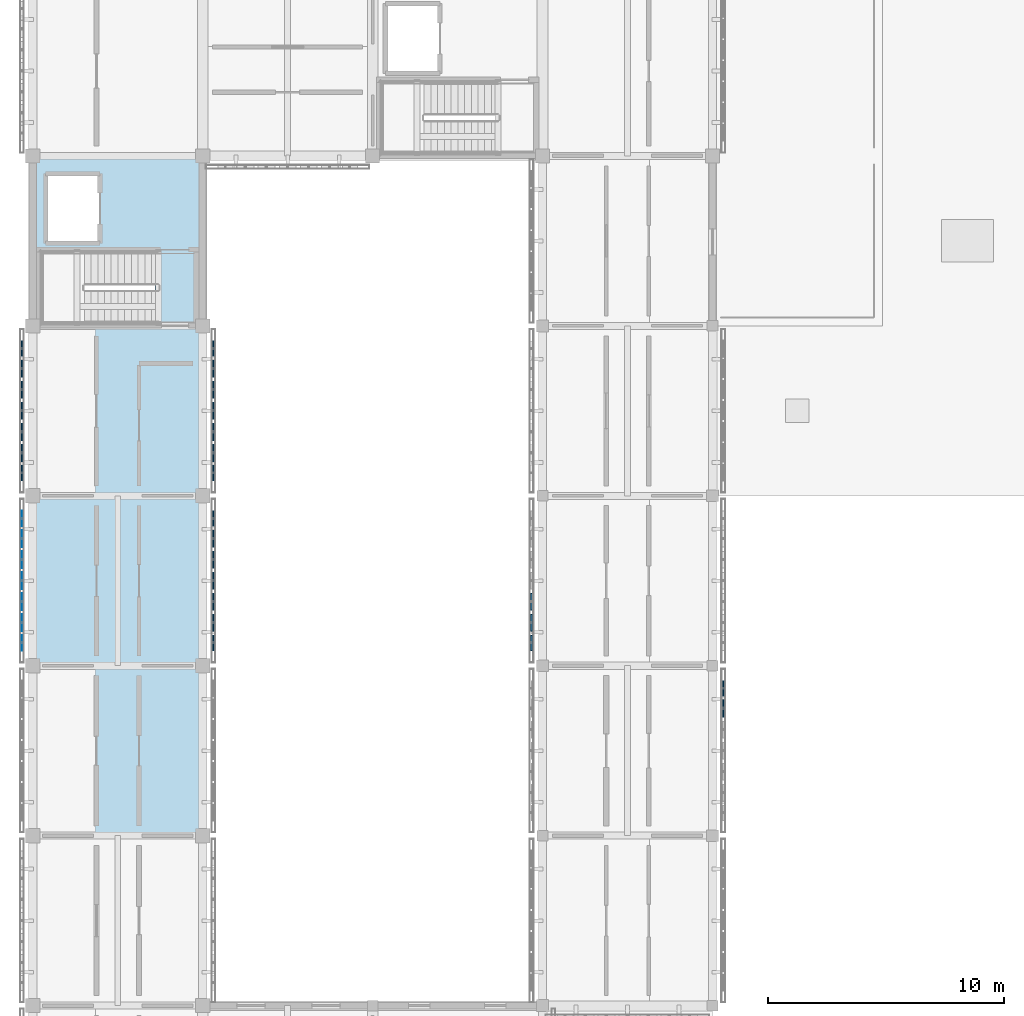
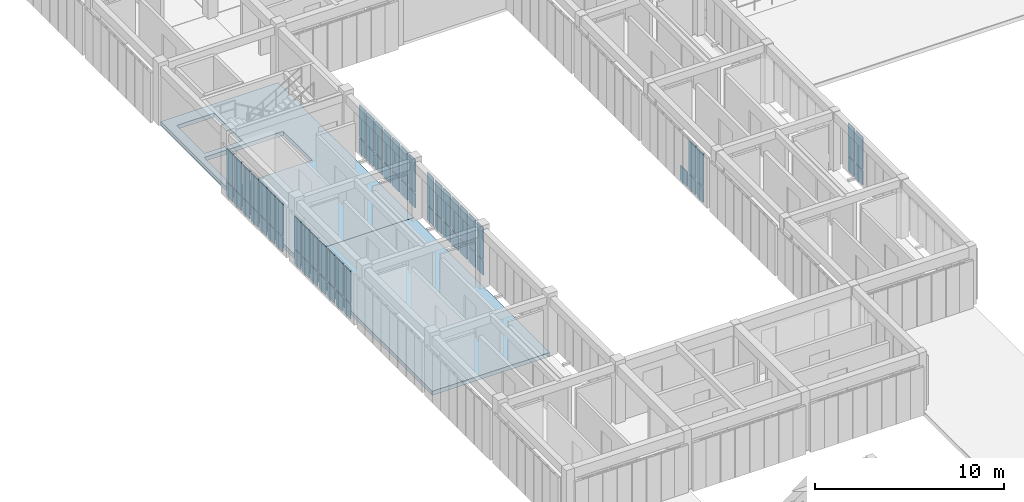
# One storey, part 40 of 67: 65 plates, 2 slabs, 6 elements without a shape of their own.
"""IFC4 building model written with IfcOpenShell, lengths in metres."""

from ifc_helpers import new_model, si_unit, direction, frame, origin, origin_2d, place, context, subcontext, project, spatial, polyline, rectangle, outline, extrude, material, layer, layer_set, type_object, element, aggregate, save


model = new_model("IFC4")

# Units and contexts
model_context = context("Model", 3, precision=1e-05, world=origin(), true_north=direction((0.0, 1.0)))
body_context = subcontext(model_context, "Body", "Model", "MODEL_VIEW")
ifc_project = project(units=[si_unit("LENGTHUNIT", "METRE"), si_unit("AREAUNIT", "SQUARE_METRE"), si_unit("VOLUMEUNIT", "CUBIC_METRE"), si_unit("PLANEANGLEUNIT", "RADIAN"), si_unit("MASSUNIT", "GRAM", prefix="KILO")], contexts=[model_context])

# Site, building, storey
site_placement = place(None, origin())
site = spatial("IfcSite", under=ifc_project, at=site_placement, CompositionType="ELEMENT")
building_placement = place(site_placement, origin())
building = spatial("IfcBuilding", under=site, at=building_placement, Name="Aldebral Square Health Centre", CompositionType="ELEMENT")
storey_placement = place(building_placement, frame((0.0, 0.0, 13.5)))
storey = spatial("IfcBuildingStorey", under=building, at=storey_placement, Name="L03", CompositionType="ELEMENT", Elevation=13.5)

# Curtain wall, plates
ifc_material_1 = material(Name="Aluminium and low-E solar glass", Category="aluminium")
curtain_wall_type = type_object("IfcCurtainWallType", Name="CW-FIN-SYS", PredefinedType="USERDEFINED", material=ifc_material_1)
curtain_wall_1_placement = place(storey_placement, origin())
curtain_wall_1 = element("IfcCurtainWall", 1, at=curtain_wall_1_placement, inside=storey, type_object=curtain_wall_type, Name="L03 V4 finned curtain wall L03-V4-00-11-W", ObjectType="SOLAR_CURTAIN_WALL", PredefinedType="USERDEFINED")
ifc_material_2 = material(Name="Solar-control low-E double glass", Category="glass")
ifc_layer_1 = layer(ifc_material_2, 0.0400390625, Name="Solar-control low-E double glass", Category="glass")
ifc_layer_set_1 = layer_set([ifc_layer_1], Name="Solar-control low-E double glass")
plate_type_1 = type_object("IfcPlateType", Name="CWP-GLZ-3", PredefinedType="CURTAIN_PANEL", material=ifc_layer_set_1)
plate_1_placement = place(storey_placement, frame((-0.4599609375, 85.434326171875, 0.074951171875), z_axis=(0.0, 0.0, 1.0), x_axis=(0.0, -1.0, 0.0)))
plate_1 = element("IfcPlate", 2, at=plate_1_placement, type_object=plate_type_1, Name="CW1 panel 1.1", PredefinedType="CURTAIN_PANEL", context=body_context, shape_type="SweptSolid", body=[
    extrude(rectangle(XDim=0.6513671875, YDim=0.0400390625, at=origin_2d()), origin(), (0.0, 0.0, 1.0), 0.9375),
])
plate_2_placement = place(storey_placement, frame((-0.4599609375, 85.434326171875, 1.08740234375), z_axis=(0.0, 0.0, 1.0), x_axis=(0.0, -1.0, 0.0)))
plate_2 = element("IfcPlate", 3, at=plate_2_placement, type_object=plate_type_1, Name="CW1 panel 1.2", PredefinedType="CURTAIN_PANEL", context=body_context, shape_type="SweptSolid", body=[
    extrude(rectangle(XDim=0.6513671875, YDim=0.0400390625, at=origin_2d()), origin(), (0.0, 0.0, 1.0), 2.077392578125),
])
plate_3_placement = place(storey_placement, frame((-0.4599609375, 84.582763671875, 0.074951171875), z_axis=(0.0, 0.0, 1.0), x_axis=(0.0, -1.0, 0.0)))
plate_3 = element("IfcPlate", 4, at=plate_3_placement, type_object=plate_type_1, Name="CW1 panel 2.1", PredefinedType="CURTAIN_PANEL", context=body_context, shape_type="SweptSolid", body=[
    extrude(rectangle(XDim=0.7314453125, YDim=0.0400390625, at=origin_2d()), origin(), (0.0, 0.0, 1.0), 0.9375),
])
plate_4_placement = place(storey_placement, frame((-0.4599609375, 84.582763671875, 1.08740234375), z_axis=(0.0, 0.0, 1.0), x_axis=(0.0, -1.0, 0.0)))
plate_4 = element("IfcPlate", 5, at=plate_4_placement, type_object=plate_type_1, Name="CW1 panel 2.2", PredefinedType="CURTAIN_PANEL", context=body_context, shape_type="SweptSolid", body=[
    extrude(rectangle(XDim=0.7314453125, YDim=0.0400390625, at=origin_2d()), origin(), (0.0, 0.0, 1.0), 2.077392578125),
])
plate_5_placement = place(storey_placement, frame((-0.4599609375, 83.69140625, 0.074951171875), z_axis=(0.0, 0.0, 1.0), x_axis=(0.0, -1.0, 0.0)))
plate_5 = element("IfcPlate", 6, at=plate_5_placement, type_object=plate_type_1, Name="CW1 panel 3.1", PredefinedType="CURTAIN_PANEL", context=body_context, shape_type="SweptSolid", body=[
    extrude(rectangle(XDim=0.7314453125, YDim=0.0400390625, at=origin_2d()), origin(), (0.0, 0.0, 1.0), 0.9375),
])
plate_6_placement = place(storey_placement, frame((-0.4599609375, 83.69140625, 1.08740234375), z_axis=(0.0, 0.0, 1.0), x_axis=(0.0, -1.0, 0.0)))
plate_6 = element("IfcPlate", 7, at=plate_6_placement, type_object=plate_type_1, Name="CW1 panel 3.2", PredefinedType="CURTAIN_PANEL", context=body_context, shape_type="SweptSolid", body=[
    extrude(rectangle(XDim=0.7314453125, YDim=0.0400390625, at=origin_2d()), origin(), (0.0, 0.0, 1.0), 2.077392578125),
])
plate_7_placement = place(storey_placement, frame((-0.4599609375, 82.800048828125, 0.074951171875), z_axis=(0.0, 0.0, 1.0), x_axis=(0.0, -1.0, 0.0)))
plate_7 = element("IfcPlate", 8, at=plate_7_placement, type_object=plate_type_1, Name="CW1 panel 4.1", PredefinedType="CURTAIN_PANEL", context=body_context, shape_type="SweptSolid", body=[
    extrude(rectangle(XDim=0.7314453125, YDim=0.0400390625, at=origin_2d()), origin(), (0.0, 0.0, 1.0), 0.9375),
])
plate_8_placement = place(storey_placement, frame((-0.4599609375, 82.800048828125, 1.08740234375), z_axis=(0.0, 0.0, 1.0), x_axis=(0.0, -1.0, 0.0)))
plate_8 = element("IfcPlate", 9, at=plate_8_placement, type_object=plate_type_1, Name="CW1 panel 4.2", PredefinedType="CURTAIN_PANEL", context=body_context, shape_type="SweptSolid", body=[
    extrude(rectangle(XDim=0.7314453125, YDim=0.0400390625, at=origin_2d()), origin(), (0.0, 0.0, 1.0), 2.077392578125),
])
plate_9_placement = place(storey_placement, frame((-0.4599609375, 81.90869140625, 0.074951171875), z_axis=(0.0, 0.0, 1.0), x_axis=(0.0, -1.0, 0.0)))
plate_9 = element("IfcPlate", 10, at=plate_9_placement, type_object=plate_type_1, Name="CW1 panel 5.1", PredefinedType="CURTAIN_PANEL", context=body_context, shape_type="SweptSolid", body=[
    extrude(rectangle(XDim=0.7314453125, YDim=0.0400390625, at=origin_2d()), origin(), (0.0, 0.0, 1.0), 0.9375),
])
plate_10_placement = place(storey_placement, frame((-0.4599609375, 81.90869140625, 1.08740234375), z_axis=(0.0, 0.0, 1.0), x_axis=(0.0, -1.0, 0.0)))
plate_10 = element("IfcPlate", 11, at=plate_10_placement, type_object=plate_type_1, Name="CW1 panel 5.2", PredefinedType="CURTAIN_PANEL", context=body_context, shape_type="SweptSolid", body=[
    extrude(rectangle(XDim=0.7314453125, YDim=0.0400390625, at=origin_2d()), origin(), (0.0, 0.0, 1.0), 2.077392578125),
])
plate_11_placement = place(storey_placement, frame((-0.4599609375, 81.01708984375, 0.074951171875), z_axis=(0.0, 0.0, 1.0), x_axis=(0.0, -1.0, 0.0)))
plate_11 = element("IfcPlate", 12, at=plate_11_placement, type_object=plate_type_1, Name="CW1 panel 6.1", PredefinedType="CURTAIN_PANEL", context=body_context, shape_type="SweptSolid", body=[
    extrude(rectangle(XDim=0.7314453125, YDim=0.0400390625, at=origin_2d()), origin(), (0.0, 0.0, 1.0), 0.9375),
])
plate_12_placement = place(storey_placement, frame((-0.4599609375, 81.01708984375, 1.08740234375), z_axis=(0.0, 0.0, 1.0), x_axis=(0.0, -1.0, 0.0)))
plate_12 = element("IfcPlate", 13, at=plate_12_placement, type_object=plate_type_1, Name="CW1 panel 6.2", PredefinedType="CURTAIN_PANEL", context=body_context, shape_type="SweptSolid", body=[
    extrude(rectangle(XDim=0.7314453125, YDim=0.0400390625, at=origin_2d()), origin(), (0.0, 0.0, 1.0), 2.077392578125),
])
plate_13_placement = place(storey_placement, frame((-0.4599609375, 80.165771484375, 0.074951171875), z_axis=(0.0, 0.0, 1.0), x_axis=(0.0, -1.0, 0.0)))
plate_13 = element("IfcPlate", 14, at=plate_13_placement, type_object=plate_type_1, Name="CW1 panel 7.1", PredefinedType="CURTAIN_PANEL", context=body_context, shape_type="SweptSolid", body=[
    extrude(rectangle(XDim=0.6513671875, YDim=0.0400390625, at=origin_2d()), origin(), (0.0, 0.0, 1.0), 0.9375),
])
plate_14_placement = place(storey_placement, frame((-0.4599609375, 80.165771484375, 1.08740234375), z_axis=(0.0, 0.0, 1.0), x_axis=(0.0, -1.0, 0.0)))
plate_14 = element("IfcPlate", 15, at=plate_14_placement, type_object=plate_type_1, Name="CW1 panel 7.2", PredefinedType="CURTAIN_PANEL", context=body_context, shape_type="SweptSolid", body=[
    extrude(rectangle(XDim=0.6513671875, YDim=0.0400390625, at=origin_2d()), origin(), (0.0, 0.0, 1.0), 2.077392578125),
])
aggregate(curtain_wall_1, [plate_1, plate_2, plate_3, plate_4, plate_5, plate_6, plate_7, plate_8, plate_9, plate_10, plate_11, plate_12, plate_13, plate_14])

curtain_wall_2_placement = place(storey_placement, origin())
curtain_wall_2 = element("IfcCurtainWall", 16, at=curtain_wall_2_placement, inside=storey, type_object=curtain_wall_type, Name="L03 V4 finned curtain wall L03-V4-00-11-E", ObjectType="SOLAR_CURTAIN_WALL", PredefinedType="USERDEFINED")
ifc_layer_2 = layer(ifc_material_2, 0.050048828125, Name="Solar-control low-E double glass", Category="glass")
ifc_layer_set_2 = layer_set([ifc_layer_2], Name="Solar-control low-E double glass")
plate_type_2 = type_object("IfcPlateType", Name="CWP-GLZ-4", PredefinedType="CURTAIN_PANEL", material=ifc_layer_set_2)
plate_15_placement = place(storey_placement, frame((7.659912109375, 80.165771484375, 0.074951171875), z_axis=(0.0, 0.0, 1.0), x_axis=(0.0, 1.0, 0.0)))
plate_15 = element("IfcPlate", 17, at=plate_15_placement, type_object=plate_type_2, Name="CW1 panel 1.1", PredefinedType="CURTAIN_PANEL", context=body_context, shape_type="SweptSolid", body=[
    extrude(rectangle(XDim=0.6513671875, YDim=0.050048828125, at=origin_2d()), origin(), (0.0, 0.0, 1.0), 0.9375),
])
plate_16_placement = place(storey_placement, frame((7.659912109375, 80.165771484375, 1.08740234375), z_axis=(0.0, 0.0, 1.0), x_axis=(0.0, 1.0, 0.0)))
plate_16 = element("IfcPlate", 18, at=plate_16_placement, type_object=plate_type_2, Name="CW1 panel 1.2", PredefinedType="CURTAIN_PANEL", context=body_context, shape_type="SweptSolid", body=[
    extrude(rectangle(XDim=0.6513671875, YDim=0.050048828125, at=origin_2d()), origin(), (0.0, 0.0, 1.0), 2.077392578125),
])
plate_17_placement = place(storey_placement, frame((7.659912109375, 81.01708984375, 0.074951171875), z_axis=(0.0, 0.0, 1.0), x_axis=(0.0, 1.0, 0.0)))
plate_17 = element("IfcPlate", 19, at=plate_17_placement, type_object=plate_type_2, Name="CW1 panel 2.1", PredefinedType="CURTAIN_PANEL", context=body_context, shape_type="SweptSolid", body=[
    extrude(rectangle(XDim=0.7314453125, YDim=0.050048828125, at=origin_2d()), origin(), (0.0, 0.0, 1.0), 0.9375),
])
plate_18_placement = place(storey_placement, frame((7.659912109375, 81.01708984375, 1.08740234375), z_axis=(0.0, 0.0, 1.0), x_axis=(0.0, 1.0, 0.0)))
plate_18 = element("IfcPlate", 20, at=plate_18_placement, type_object=plate_type_2, Name="CW1 panel 2.2", PredefinedType="CURTAIN_PANEL", context=body_context, shape_type="SweptSolid", body=[
    extrude(rectangle(XDim=0.7314453125, YDim=0.050048828125, at=origin_2d()), origin(), (0.0, 0.0, 1.0), 2.077392578125),
])
plate_19_placement = place(storey_placement, frame((7.659912109375, 81.90869140625, 0.074951171875), z_axis=(0.0, 0.0, 1.0), x_axis=(0.0, 1.0, 0.0)))
plate_19 = element("IfcPlate", 21, at=plate_19_placement, type_object=plate_type_2, Name="CW1 panel 3.1", PredefinedType="CURTAIN_PANEL", context=body_context, shape_type="SweptSolid", body=[
    extrude(rectangle(XDim=0.7314453125, YDim=0.050048828125, at=origin_2d()), origin(), (0.0, 0.0, 1.0), 0.9375),
])
plate_20_placement = place(storey_placement, frame((7.659912109375, 81.90869140625, 1.08740234375), z_axis=(0.0, 0.0, 1.0), x_axis=(0.0, 1.0, 0.0)))
plate_20 = element("IfcPlate", 22, at=plate_20_placement, type_object=plate_type_2, Name="CW1 panel 3.2", PredefinedType="CURTAIN_PANEL", context=body_context, shape_type="SweptSolid", body=[
    extrude(rectangle(XDim=0.7314453125, YDim=0.050048828125, at=origin_2d()), origin(), (0.0, 0.0, 1.0), 2.077392578125),
])
plate_21_placement = place(storey_placement, frame((7.659912109375, 82.800048828125, 0.074951171875), z_axis=(0.0, 0.0, 1.0), x_axis=(0.0, 1.0, 0.0)))
plate_21 = element("IfcPlate", 23, at=plate_21_placement, type_object=plate_type_2, Name="CW1 panel 4.1", PredefinedType="CURTAIN_PANEL", context=body_context, shape_type="SweptSolid", body=[
    extrude(rectangle(XDim=0.7314453125, YDim=0.050048828125, at=origin_2d()), origin(), (0.0, 0.0, 1.0), 0.9375),
])
plate_22_placement = place(storey_placement, frame((7.659912109375, 82.800048828125, 1.08740234375), z_axis=(0.0, 0.0, 1.0), x_axis=(0.0, 1.0, 0.0)))
plate_22 = element("IfcPlate", 24, at=plate_22_placement, type_object=plate_type_2, Name="CW1 panel 4.2", PredefinedType="CURTAIN_PANEL", context=body_context, shape_type="SweptSolid", body=[
    extrude(rectangle(XDim=0.7314453125, YDim=0.050048828125, at=origin_2d()), origin(), (0.0, 0.0, 1.0), 2.077392578125),
])
plate_23_placement = place(storey_placement, frame((7.659912109375, 83.69140625, 0.074951171875), z_axis=(0.0, 0.0, 1.0), x_axis=(0.0, 1.0, 0.0)))
plate_23 = element("IfcPlate", 25, at=plate_23_placement, type_object=plate_type_2, Name="CW1 panel 5.1", PredefinedType="CURTAIN_PANEL", context=body_context, shape_type="SweptSolid", body=[
    extrude(rectangle(XDim=0.7314453125, YDim=0.050048828125, at=origin_2d()), origin(), (0.0, 0.0, 1.0), 0.9375),
])
plate_24_placement = place(storey_placement, frame((7.659912109375, 83.69140625, 1.08740234375), z_axis=(0.0, 0.0, 1.0), x_axis=(0.0, 1.0, 0.0)))
plate_24 = element("IfcPlate", 26, at=plate_24_placement, type_object=plate_type_2, Name="CW1 panel 5.2", PredefinedType="CURTAIN_PANEL", context=body_context, shape_type="SweptSolid", body=[
    extrude(rectangle(XDim=0.7314453125, YDim=0.050048828125, at=origin_2d()), origin(), (0.0, 0.0, 1.0), 2.077392578125),
])
plate_25_placement = place(storey_placement, frame((7.659912109375, 84.582763671875, 0.074951171875), z_axis=(0.0, 0.0, 1.0), x_axis=(0.0, 1.0, 0.0)))
plate_25 = element("IfcPlate", 27, at=plate_25_placement, type_object=plate_type_2, Name="CW1 panel 6.1", PredefinedType="CURTAIN_PANEL", context=body_context, shape_type="SweptSolid", body=[
    extrude(rectangle(XDim=0.7314453125, YDim=0.050048828125, at=origin_2d()), origin(), (0.0, 0.0, 1.0), 0.9375),
])
plate_26_placement = place(storey_placement, frame((7.659912109375, 84.582763671875, 1.08740234375), z_axis=(0.0, 0.0, 1.0), x_axis=(0.0, 1.0, 0.0)))
plate_26 = element("IfcPlate", 28, at=plate_26_placement, type_object=plate_type_2, Name="CW1 panel 6.2", PredefinedType="CURTAIN_PANEL", context=body_context, shape_type="SweptSolid", body=[
    extrude(rectangle(XDim=0.7314453125, YDim=0.050048828125, at=origin_2d()), origin(), (0.0, 0.0, 1.0), 2.077392578125),
])
plate_27_placement = place(storey_placement, frame((7.659912109375, 85.434326171875, 0.074951171875), z_axis=(0.0, 0.0, 1.0), x_axis=(0.0, 1.0, 0.0)))
plate_27 = element("IfcPlate", 29, at=plate_27_placement, type_object=plate_type_2, Name="CW1 panel 7.1", PredefinedType="CURTAIN_PANEL", context=body_context, shape_type="SweptSolid", body=[
    extrude(rectangle(XDim=0.6513671875, YDim=0.050048828125, at=origin_2d()), origin(), (0.0, 0.0, 1.0), 0.9375),
])
plate_28_placement = place(storey_placement, frame((7.659912109375, 85.434326171875, 1.08740234375), z_axis=(0.0, 0.0, 1.0), x_axis=(0.0, 1.0, 0.0)))
plate_28 = element("IfcPlate", 30, at=plate_28_placement, type_object=plate_type_2, Name="CW1 panel 7.2", PredefinedType="CURTAIN_PANEL", context=body_context, shape_type="SweptSolid", body=[
    extrude(rectangle(XDim=0.6513671875, YDim=0.050048828125, at=origin_2d()), origin(), (0.0, 0.0, 1.0), 2.077392578125),
])
aggregate(curtain_wall_2, [plate_15, plate_16, plate_17, plate_18, plate_19, plate_20, plate_21, plate_22, plate_23, plate_24, plate_25, plate_26, plate_27, plate_28])

curtain_wall_3_placement = place(storey_placement, origin())
curtain_wall_3 = element("IfcCurtainWall", 31, at=curtain_wall_3_placement, inside=storey, type_object=curtain_wall_type, Name="L03 V4 finned curtain wall L03-V4-00-12-W", ObjectType="SOLAR_CURTAIN_WALL", PredefinedType="USERDEFINED")
ifc_layer_3 = layer(ifc_material_2, 0.06005859375, Name="Solar-control low-E double glass", Category="glass")
ifc_layer_set_3 = layer_set([ifc_layer_3], Name="Solar-control low-E double glass")
plate_type_3 = type_object("IfcPlateType", Name="CWP-GLZ-5", PredefinedType="CURTAIN_PANEL", material=ifc_layer_set_3)
plate_29_placement = place(storey_placement, frame((-0.4599609375, 92.63427734375, 0.074951171875), z_axis=(0.0, 0.0, 1.0), x_axis=(0.0, -1.0, 0.0)))
plate_29 = element("IfcPlate", 32, at=plate_29_placement, type_object=plate_type_3, Name="CW1 panel 1.1", PredefinedType="CURTAIN_PANEL", context=body_context, shape_type="SweptSolid", body=[
    extrude(rectangle(XDim=0.6513671875, YDim=0.06005859375, at=origin_2d()), origin(), (0.0, 0.0, 1.0), 0.9375),
])
plate_30_placement = place(storey_placement, frame((-0.4599609375, 92.63427734375, 1.08740234375), z_axis=(0.0, 0.0, 1.0), x_axis=(0.0, -1.0, 0.0)))
plate_30 = element("IfcPlate", 33, at=plate_30_placement, type_object=plate_type_3, Name="CW1 panel 1.2", PredefinedType="CURTAIN_PANEL", context=body_context, shape_type="SweptSolid", body=[
    extrude(rectangle(XDim=0.6513671875, YDim=0.06005859375, at=origin_2d()), origin(), (0.0, 0.0, 1.0), 2.077392578125),
])
plate_31_placement = place(storey_placement, frame((-0.4599609375, 91.782958984375, 0.074951171875), z_axis=(0.0, 0.0, 1.0), x_axis=(0.0, -1.0, 0.0)))
plate_31 = element("IfcPlate", 34, at=plate_31_placement, type_object=plate_type_3, Name="CW1 panel 2.1", PredefinedType="CURTAIN_PANEL", context=body_context, shape_type="SweptSolid", body=[
    extrude(rectangle(XDim=0.7314453125, YDim=0.06005859375, at=origin_2d()), origin(), (0.0, 0.0, 1.0), 0.9375),
])
plate_32_placement = place(storey_placement, frame((-0.4599609375, 91.782958984375, 1.08740234375), z_axis=(0.0, 0.0, 1.0), x_axis=(0.0, -1.0, 0.0)))
plate_32 = element("IfcPlate", 35, at=plate_32_placement, type_object=plate_type_3, Name="CW1 panel 2.2", PredefinedType="CURTAIN_PANEL", context=body_context, shape_type="SweptSolid", body=[
    extrude(rectangle(XDim=0.7314453125, YDim=0.06005859375, at=origin_2d()), origin(), (0.0, 0.0, 1.0), 2.077392578125),
])
plate_33_placement = place(storey_placement, frame((-0.4599609375, 90.891357421875, 0.074951171875), z_axis=(0.0, 0.0, 1.0), x_axis=(0.0, -1.0, 0.0)))
plate_33 = element("IfcPlate", 36, at=plate_33_placement, type_object=plate_type_3, Name="CW1 panel 3.1", PredefinedType="CURTAIN_PANEL", context=body_context, shape_type="SweptSolid", body=[
    extrude(rectangle(XDim=0.7314453125, YDim=0.06005859375, at=origin_2d()), origin(), (0.0, 0.0, 1.0), 0.9375),
])
plate_34_placement = place(storey_placement, frame((-0.4599609375, 90.891357421875, 1.08740234375), z_axis=(0.0, 0.0, 1.0), x_axis=(0.0, -1.0, 0.0)))
plate_34 = element("IfcPlate", 37, at=plate_34_placement, type_object=plate_type_3, Name="CW1 panel 3.2", PredefinedType="CURTAIN_PANEL", context=body_context, shape_type="SweptSolid", body=[
    extrude(rectangle(XDim=0.7314453125, YDim=0.06005859375, at=origin_2d()), origin(), (0.0, 0.0, 1.0), 2.077392578125),
])
plate_35_placement = place(storey_placement, frame((-0.4599609375, 90.0, 0.074951171875), z_axis=(0.0, 0.0, 1.0), x_axis=(0.0, -1.0, 0.0)))
plate_35 = element("IfcPlate", 38, at=plate_35_placement, type_object=plate_type_3, Name="CW1 panel 4.1", PredefinedType="CURTAIN_PANEL", context=body_context, shape_type="SweptSolid", body=[
    extrude(rectangle(XDim=0.7314453125, YDim=0.06005859375, at=origin_2d()), origin(), (0.0, 0.0, 1.0), 0.9375),
])
plate_36_placement = place(storey_placement, frame((-0.4599609375, 90.0, 1.08740234375), z_axis=(0.0, 0.0, 1.0), x_axis=(0.0, -1.0, 0.0)))
plate_36 = element("IfcPlate", 39, at=plate_36_placement, type_object=plate_type_3, Name="CW1 panel 4.2", PredefinedType="CURTAIN_PANEL", context=body_context, shape_type="SweptSolid", body=[
    extrude(rectangle(XDim=0.7314453125, YDim=0.06005859375, at=origin_2d()), origin(), (0.0, 0.0, 1.0), 2.077392578125),
])
plate_37_placement = place(storey_placement, frame((-0.4599609375, 89.108642578125, 0.074951171875), z_axis=(0.0, 0.0, 1.0), x_axis=(0.0, -1.0, 0.0)))
plate_37 = element("IfcPlate", 40, at=plate_37_placement, type_object=plate_type_3, Name="CW1 panel 5.1", PredefinedType="CURTAIN_PANEL", context=body_context, shape_type="SweptSolid", body=[
    extrude(rectangle(XDim=0.7314453125, YDim=0.06005859375, at=origin_2d()), origin(), (0.0, 0.0, 1.0), 0.9375),
])
plate_38_placement = place(storey_placement, frame((-0.4599609375, 89.108642578125, 1.08740234375), z_axis=(0.0, 0.0, 1.0), x_axis=(0.0, -1.0, 0.0)))
plate_38 = element("IfcPlate", 41, at=plate_38_placement, type_object=plate_type_3, Name="CW1 panel 5.2", PredefinedType="CURTAIN_PANEL", context=body_context, shape_type="SweptSolid", body=[
    extrude(rectangle(XDim=0.7314453125, YDim=0.06005859375, at=origin_2d()), origin(), (0.0, 0.0, 1.0), 2.077392578125),
])
plate_39_placement = place(storey_placement, frame((-0.4599609375, 88.217041015625, 0.074951171875), z_axis=(0.0, 0.0, 1.0), x_axis=(0.0, -1.0, 0.0)))
plate_39 = element("IfcPlate", 42, at=plate_39_placement, type_object=plate_type_3, Name="CW1 panel 6.1", PredefinedType="CURTAIN_PANEL", context=body_context, shape_type="SweptSolid", body=[
    extrude(rectangle(XDim=0.7314453125, YDim=0.06005859375, at=origin_2d()), origin(), (0.0, 0.0, 1.0), 0.9375),
])
plate_40_placement = place(storey_placement, frame((-0.4599609375, 88.217041015625, 1.08740234375), z_axis=(0.0, 0.0, 1.0), x_axis=(0.0, -1.0, 0.0)))
plate_40 = element("IfcPlate", 43, at=plate_40_placement, type_object=plate_type_3, Name="CW1 panel 6.2", PredefinedType="CURTAIN_PANEL", context=body_context, shape_type="SweptSolid", body=[
    extrude(rectangle(XDim=0.7314453125, YDim=0.06005859375, at=origin_2d()), origin(), (0.0, 0.0, 1.0), 2.077392578125),
])
plate_41_placement = place(storey_placement, frame((-0.4599609375, 87.36572265625, 0.074951171875), z_axis=(0.0, 0.0, 1.0), x_axis=(0.0, -1.0, 0.0)))
plate_41 = element("IfcPlate", 44, at=plate_41_placement, type_object=plate_type_3, Name="CW1 panel 7.1", PredefinedType="CURTAIN_PANEL", context=body_context, shape_type="SweptSolid", body=[
    extrude(rectangle(XDim=0.6513671875, YDim=0.06005859375, at=origin_2d()), origin(), (0.0, 0.0, 1.0), 0.9375),
])
plate_42_placement = place(storey_placement, frame((-0.4599609375, 87.36572265625, 1.08740234375), z_axis=(0.0, 0.0, 1.0), x_axis=(0.0, -1.0, 0.0)))
plate_42 = element("IfcPlate", 45, at=plate_42_placement, type_object=plate_type_3, Name="CW1 panel 7.2", PredefinedType="CURTAIN_PANEL", context=body_context, shape_type="SweptSolid", body=[
    extrude(rectangle(XDim=0.6513671875, YDim=0.06005859375, at=origin_2d()), origin(), (0.0, 0.0, 1.0), 2.077392578125),
])
aggregate(curtain_wall_3, [plate_29, plate_30, plate_31, plate_32, plate_33, plate_34, plate_35, plate_36, plate_37, plate_38, plate_39, plate_40, plate_41, plate_42])

curtain_wall_4_placement = place(storey_placement, origin())
curtain_wall_4 = element("IfcCurtainWall", 46, at=curtain_wall_4_placement, inside=storey, type_object=curtain_wall_type, Name="L03 V4 finned curtain wall L03-V4-03-10-E", ObjectType="SOLAR_CURTAIN_WALL", PredefinedType="USERDEFINED")
plate_43_placement = place(storey_placement, frame((29.260009765625, 77.3828125, 0.074951171875), z_axis=(0.0, 0.0, 1.0), x_axis=(0.0, 1.0, 0.0)))
plate_43 = element("IfcPlate", 47, at=plate_43_placement, type_object=plate_type_3, Name="CW1 panel 6.1", PredefinedType="CURTAIN_PANEL", context=body_context, shape_type="SweptSolid", body=[
    extrude(rectangle(XDim=0.7314453125, YDim=0.06005859375, at=origin_2d()), origin(), (0.0, 0.0, 1.0), 0.9375),
])
plate_44_placement = place(storey_placement, frame((29.260009765625, 77.3828125, 1.08740234375), z_axis=(0.0, 0.0, 1.0), x_axis=(0.0, 1.0, 0.0)))
plate_44 = element("IfcPlate", 48, at=plate_44_placement, type_object=plate_type_3, Name="CW1 panel 6.2", PredefinedType="CURTAIN_PANEL", context=body_context, shape_type="SweptSolid", body=[
    extrude(rectangle(XDim=0.7314453125, YDim=0.06005859375, at=origin_2d()), origin(), (0.0, 0.0, 1.0), 2.077392578125),
])
plate_45_placement = place(storey_placement, frame((29.260009765625, 78.234375, 0.074951171875), z_axis=(0.0, 0.0, 1.0), x_axis=(0.0, 1.0, 0.0)))
plate_45 = element("IfcPlate", 49, at=plate_45_placement, type_object=plate_type_3, Name="CW1 panel 7.1", PredefinedType="CURTAIN_PANEL", context=body_context, shape_type="SweptSolid", body=[
    extrude(rectangle(XDim=0.6513671875, YDim=0.06005859375, at=origin_2d()), origin(), (0.0, 0.0, 1.0), 0.9375),
])
plate_46_placement = place(storey_placement, frame((29.260009765625, 78.234375, 1.08740234375), z_axis=(0.0, 0.0, 1.0), x_axis=(0.0, 1.0, 0.0)))
plate_46 = element("IfcPlate", 50, at=plate_46_placement, type_object=plate_type_3, Name="CW1 panel 7.2", PredefinedType="CURTAIN_PANEL", context=body_context, shape_type="SweptSolid", body=[
    extrude(rectangle(XDim=0.6513671875, YDim=0.06005859375, at=origin_2d()), origin(), (0.0, 0.0, 1.0), 2.077392578125),
])
aggregate(curtain_wall_4, [plate_43, plate_44, plate_45, plate_46])

curtain_wall_5_placement = place(storey_placement, origin())
curtain_wall_5 = element("IfcCurtainWall", 51, at=curtain_wall_5_placement, inside=storey, type_object=curtain_wall_type, Name="L03 V4 finned curtain wall L03-V4-00-12-E", ObjectType="SOLAR_CURTAIN_WALL", PredefinedType="USERDEFINED")
ifc_layer_4 = layer(ifc_material_2, 0.070068359375, Name="Solar-control low-E double glass", Category="glass")
ifc_layer_set_4 = layer_set([ifc_layer_4], Name="Solar-control low-E double glass")
plate_type_4 = type_object("IfcPlateType", Name="CWP-GLZ-6", PredefinedType="CURTAIN_PANEL", material=ifc_layer_set_4)
plate_47_placement = place(storey_placement, frame((7.659912109375, 87.36572265625, 0.074951171875), z_axis=(0.0, 0.0, 1.0), x_axis=(0.0, 1.0, 0.0)))
plate_47 = element("IfcPlate", 52, at=plate_47_placement, type_object=plate_type_4, Name="CW1 panel 1.1", PredefinedType="CURTAIN_PANEL", context=body_context, shape_type="SweptSolid", body=[
    extrude(rectangle(XDim=0.6513671875, YDim=0.070068359375, at=origin_2d()), origin(), (0.0, 0.0, 1.0), 0.9375),
])
plate_48_placement = place(storey_placement, frame((7.659912109375, 87.36572265625, 1.08740234375), z_axis=(0.0, 0.0, 1.0), x_axis=(0.0, 1.0, 0.0)))
plate_48 = element("IfcPlate", 53, at=plate_48_placement, type_object=plate_type_4, Name="CW1 panel 1.2", PredefinedType="CURTAIN_PANEL", context=body_context, shape_type="SweptSolid", body=[
    extrude(rectangle(XDim=0.6513671875, YDim=0.070068359375, at=origin_2d()), origin(), (0.0, 0.0, 1.0), 2.077392578125),
])
plate_49_placement = place(storey_placement, frame((7.659912109375, 88.217041015625, 0.074951171875), z_axis=(0.0, 0.0, 1.0), x_axis=(0.0, 1.0, 0.0)))
plate_49 = element("IfcPlate", 54, at=plate_49_placement, type_object=plate_type_4, Name="CW1 panel 2.1", PredefinedType="CURTAIN_PANEL", context=body_context, shape_type="SweptSolid", body=[
    extrude(rectangle(XDim=0.7314453125, YDim=0.070068359375, at=origin_2d()), origin(), (0.0, 0.0, 1.0), 0.9375),
])
plate_50_placement = place(storey_placement, frame((7.659912109375, 88.217041015625, 1.08740234375), z_axis=(0.0, 0.0, 1.0), x_axis=(0.0, 1.0, 0.0)))
plate_50 = element("IfcPlate", 55, at=plate_50_placement, type_object=plate_type_4, Name="CW1 panel 2.2", PredefinedType="CURTAIN_PANEL", context=body_context, shape_type="SweptSolid", body=[
    extrude(rectangle(XDim=0.7314453125, YDim=0.070068359375, at=origin_2d()), origin(), (0.0, 0.0, 1.0), 2.077392578125),
])
plate_51_placement = place(storey_placement, frame((7.659912109375, 89.108642578125, 0.074951171875), z_axis=(0.0, 0.0, 1.0), x_axis=(0.0, 1.0, 0.0)))
plate_51 = element("IfcPlate", 56, at=plate_51_placement, type_object=plate_type_4, Name="CW1 panel 3.1", PredefinedType="CURTAIN_PANEL", context=body_context, shape_type="SweptSolid", body=[
    extrude(rectangle(XDim=0.7314453125, YDim=0.070068359375, at=origin_2d()), origin(), (0.0, 0.0, 1.0), 0.9375),
])
plate_52_placement = place(storey_placement, frame((7.659912109375, 89.108642578125, 1.08740234375), z_axis=(0.0, 0.0, 1.0), x_axis=(0.0, 1.0, 0.0)))
plate_52 = element("IfcPlate", 57, at=plate_52_placement, type_object=plate_type_4, Name="CW1 panel 3.2", PredefinedType="CURTAIN_PANEL", context=body_context, shape_type="SweptSolid", body=[
    extrude(rectangle(XDim=0.7314453125, YDim=0.070068359375, at=origin_2d()), origin(), (0.0, 0.0, 1.0), 2.077392578125),
])
plate_53_placement = place(storey_placement, frame((7.659912109375, 90.0, 0.074951171875), z_axis=(0.0, 0.0, 1.0), x_axis=(0.0, 1.0, 0.0)))
plate_53 = element("IfcPlate", 58, at=plate_53_placement, type_object=plate_type_4, Name="CW1 panel 4.1", PredefinedType="CURTAIN_PANEL", context=body_context, shape_type="SweptSolid", body=[
    extrude(rectangle(XDim=0.7314453125, YDim=0.070068359375, at=origin_2d()), origin(), (0.0, 0.0, 1.0), 0.9375),
])
plate_54_placement = place(storey_placement, frame((7.659912109375, 90.0, 1.08740234375), z_axis=(0.0, 0.0, 1.0), x_axis=(0.0, 1.0, 0.0)))
plate_54 = element("IfcPlate", 59, at=plate_54_placement, type_object=plate_type_4, Name="CW1 panel 4.2", PredefinedType="CURTAIN_PANEL", context=body_context, shape_type="SweptSolid", body=[
    extrude(rectangle(XDim=0.7314453125, YDim=0.070068359375, at=origin_2d()), origin(), (0.0, 0.0, 1.0), 2.077392578125),
])
plate_55_placement = place(storey_placement, frame((7.659912109375, 90.891357421875, 0.074951171875), z_axis=(0.0, 0.0, 1.0), x_axis=(0.0, 1.0, 0.0)))
plate_55 = element("IfcPlate", 60, at=plate_55_placement, type_object=plate_type_4, Name="CW1 panel 5.1", PredefinedType="CURTAIN_PANEL", context=body_context, shape_type="SweptSolid", body=[
    extrude(rectangle(XDim=0.7314453125, YDim=0.070068359375, at=origin_2d()), origin(), (0.0, 0.0, 1.0), 0.9375),
])
plate_56_placement = place(storey_placement, frame((7.659912109375, 90.891357421875, 1.08740234375), z_axis=(0.0, 0.0, 1.0), x_axis=(0.0, 1.0, 0.0)))
plate_56 = element("IfcPlate", 61, at=plate_56_placement, type_object=plate_type_4, Name="CW1 panel 5.2", PredefinedType="CURTAIN_PANEL", context=body_context, shape_type="SweptSolid", body=[
    extrude(rectangle(XDim=0.7314453125, YDim=0.070068359375, at=origin_2d()), origin(), (0.0, 0.0, 1.0), 2.077392578125),
])
plate_57_placement = place(storey_placement, frame((7.659912109375, 91.782958984375, 0.074951171875), z_axis=(0.0, 0.0, 1.0), x_axis=(0.0, 1.0, 0.0)))
plate_57 = element("IfcPlate", 62, at=plate_57_placement, type_object=plate_type_4, Name="CW1 panel 6.1", PredefinedType="CURTAIN_PANEL", context=body_context, shape_type="SweptSolid", body=[
    extrude(rectangle(XDim=0.7314453125, YDim=0.070068359375, at=origin_2d()), origin(), (0.0, 0.0, 1.0), 0.9375),
])
plate_58_placement = place(storey_placement, frame((7.659912109375, 91.782958984375, 1.08740234375), z_axis=(0.0, 0.0, 1.0), x_axis=(0.0, 1.0, 0.0)))
plate_58 = element("IfcPlate", 63, at=plate_58_placement, type_object=plate_type_4, Name="CW1 panel 6.2", PredefinedType="CURTAIN_PANEL", context=body_context, shape_type="SweptSolid", body=[
    extrude(rectangle(XDim=0.7314453125, YDim=0.070068359375, at=origin_2d()), origin(), (0.0, 0.0, 1.0), 2.077392578125),
])
plate_59_placement = place(storey_placement, frame((7.659912109375, 92.63427734375, 0.074951171875), z_axis=(0.0, 0.0, 1.0), x_axis=(0.0, 1.0, 0.0)))
plate_59 = element("IfcPlate", 64, at=plate_59_placement, type_object=plate_type_4, Name="CW1 panel 7.1", PredefinedType="CURTAIN_PANEL", context=body_context, shape_type="SweptSolid", body=[
    extrude(rectangle(XDim=0.6513671875, YDim=0.070068359375, at=origin_2d()), origin(), (0.0, 0.0, 1.0), 0.9375),
])
plate_60_placement = place(storey_placement, frame((7.659912109375, 92.63427734375, 1.08740234375), z_axis=(0.0, 0.0, 1.0), x_axis=(0.0, 1.0, 0.0)))
plate_60 = element("IfcPlate", 65, at=plate_60_placement, type_object=plate_type_4, Name="CW1 panel 7.2", PredefinedType="CURTAIN_PANEL", context=body_context, shape_type="SweptSolid", body=[
    extrude(rectangle(XDim=0.6513671875, YDim=0.070068359375, at=origin_2d()), origin(), (0.0, 0.0, 1.0), 2.077392578125),
])
aggregate(curtain_wall_5, [plate_47, plate_48, plate_49, plate_50, plate_51, plate_52, plate_53, plate_54, plate_55, plate_56, plate_57, plate_58, plate_59, plate_60])

curtain_wall_6_placement = place(storey_placement, origin())
curtain_wall_6 = element("IfcCurtainWall", 66, at=curtain_wall_6_placement, inside=storey, type_object=curtain_wall_type, Name="L03 V4 finned curtain wall L03-V4-03-11-W", ObjectType="SOLAR_CURTAIN_WALL", PredefinedType="USERDEFINED")
plate_61_placement = place(storey_placement, frame((21.139892578125, 81.90869140625, 0.074951171875), z_axis=(0.0, 0.0, 1.0), x_axis=(0.0, -1.0, 0.0)))
plate_61 = element("IfcPlate", 67, at=plate_61_placement, type_object=plate_type_4, Name="CW1 panel 5.1", PredefinedType="CURTAIN_PANEL", context=body_context, shape_type="SweptSolid", body=[
    extrude(rectangle(XDim=0.7314453125, YDim=0.070068359375, at=origin_2d()), origin(), (0.0, 0.0, 1.0), 0.9375),
])
plate_62_placement = place(storey_placement, frame((21.139892578125, 81.01708984375, 0.074951171875), z_axis=(0.0, 0.0, 1.0), x_axis=(0.0, -1.0, 0.0)))
plate_62 = element("IfcPlate", 68, at=plate_62_placement, type_object=plate_type_4, Name="CW1 panel 6.1", PredefinedType="CURTAIN_PANEL", context=body_context, shape_type="SweptSolid", body=[
    extrude(rectangle(XDim=0.7314453125, YDim=0.070068359375, at=origin_2d()), origin(), (0.0, 0.0, 1.0), 0.9375),
])
plate_63_placement = place(storey_placement, frame((21.139892578125, 81.01708984375, 1.08740234375), z_axis=(0.0, 0.0, 1.0), x_axis=(0.0, -1.0, 0.0)))
plate_63 = element("IfcPlate", 69, at=plate_63_placement, type_object=plate_type_4, Name="CW1 panel 6.2", PredefinedType="CURTAIN_PANEL", context=body_context, shape_type="SweptSolid", body=[
    extrude(rectangle(XDim=0.7314453125, YDim=0.070068359375, at=origin_2d()), origin(), (0.0, 0.0, 1.0), 2.077392578125),
])
plate_64_placement = place(storey_placement, frame((21.139892578125, 80.165771484375, 0.074951171875), z_axis=(0.0, 0.0, 1.0), x_axis=(0.0, -1.0, 0.0)))
plate_64 = element("IfcPlate", 70, at=plate_64_placement, type_object=plate_type_4, Name="CW1 panel 7.1", PredefinedType="CURTAIN_PANEL", context=body_context, shape_type="SweptSolid", body=[
    extrude(rectangle(XDim=0.6513671875, YDim=0.070068359375, at=origin_2d()), origin(), (0.0, 0.0, 1.0), 0.9375),
])
plate_65_placement = place(storey_placement, frame((21.139892578125, 80.165771484375, 1.08740234375), z_axis=(0.0, 0.0, 1.0), x_axis=(0.0, -1.0, 0.0)))
plate_65 = element("IfcPlate", 71, at=plate_65_placement, type_object=plate_type_4, Name="CW1 panel 7.2", PredefinedType="CURTAIN_PANEL", context=body_context, shape_type="SweptSolid", body=[
    extrude(rectangle(XDim=0.6513671875, YDim=0.070068359375, at=origin_2d()), origin(), (0.0, 0.0, 1.0), 2.077392578125),
])
aggregate(curtain_wall_6, [plate_61, plate_62, plate_63, plate_64, plate_65])

# Slabs
ifc_material_3 = material(Name="Concrete C35/45", Category="concrete")
ifc_layer_5 = layer(ifc_material_3, 0.260009765625, Name="Concrete C35/45", Category="concrete")
ifc_layer_set_5 = layer_set([ifc_layer_5], Name="Concrete C35/45")
slab_type = type_object("IfcSlabType", Name="SL-FLR-260", PredefinedType="FLOOR", material=ifc_layer_set_5)
slab_1_placement = place(storey_placement, frame((0.0, 0.0, -0.260009765625)))
element("IfcSlab", 72, at=slab_1_placement, inside=storey, type_object=slab_type, Name="L03 V4 floor slab 2", PredefinedType="FLOOR", context=body_context, shape_type="SweptSolid", body=[
    extrude(outline(polyline([(0.0, 72.0), (0.0, 79.199951171875), (0.0, 86.39990234375), (7.199951171875, 86.39990234375), (7.199951171875, 79.199951171875), (7.199951171875, 72.0), (0.0, 72.0)])), origin(), (0.0, 0.0, 1.0), 0.260009765625),
])
slab_2_placement = place(storey_placement, frame((0.0, 0.0, -0.260009765625)))
element("IfcSlab", 73, at=slab_2_placement, inside=storey, type_object=slab_type, Name="L03 V4 floor slab 3", PredefinedType="FLOOR", context=body_context, shape_type="SweptSolid", body=[
    extrude(outline(polyline([(0.0, 86.39990234375), (0.0, 93.60009765625), (0.0, 100.800048828125), (7.199951171875, 100.800048828125), (7.199951171875, 93.60009765625), (7.199951171875, 86.39990234375), (0.0, 86.39990234375)]), holes=[polyline([(0.340087890625, 96.760009765625), (0.340087890625, 93.679931640625), (5.179931640625, 93.679931640625), (5.179931640625, 96.760009765625), (0.340087890625, 96.760009765625)]), polyline([(0.550048828125, 100.050048828125), (0.550048828125, 97.10009765625), (2.85009765625, 97.10009765625), (2.85009765625, 100.050048828125), (0.550048828125, 100.050048828125)])]), origin(), (0.0, 0.0, 1.0), 0.260009765625),
])

save(model, "model.ifc")
